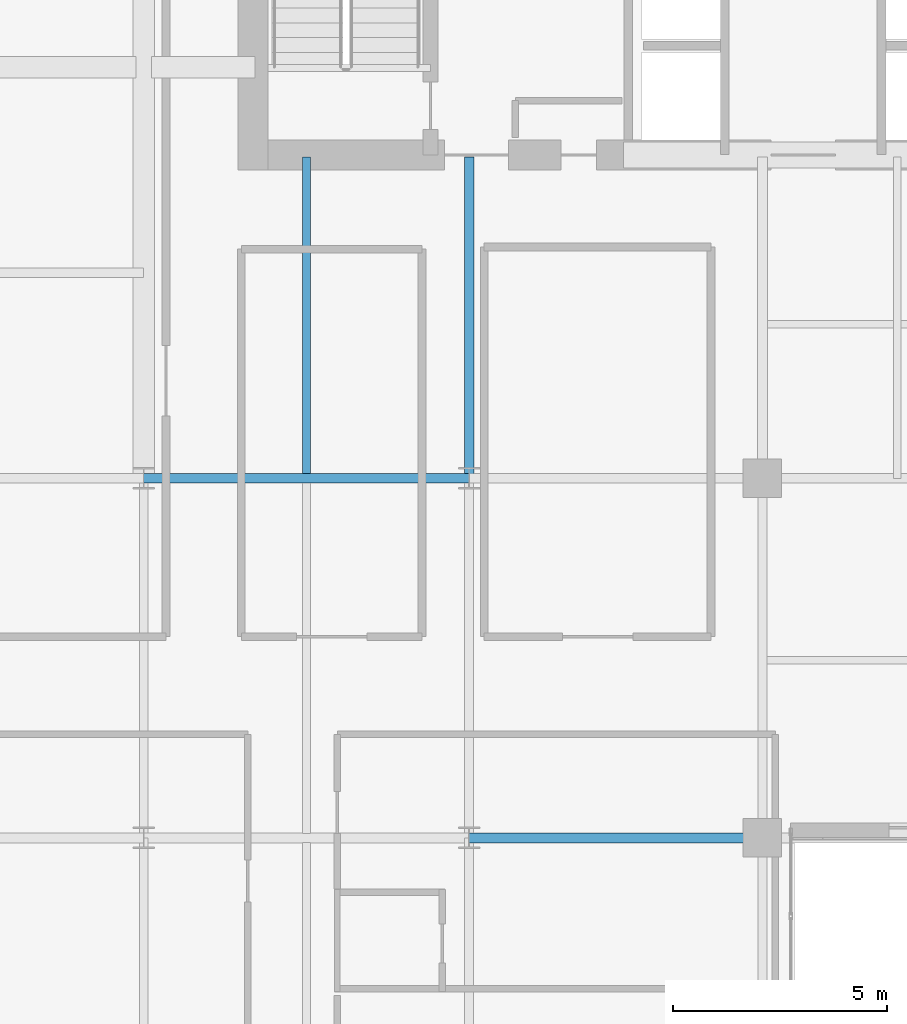
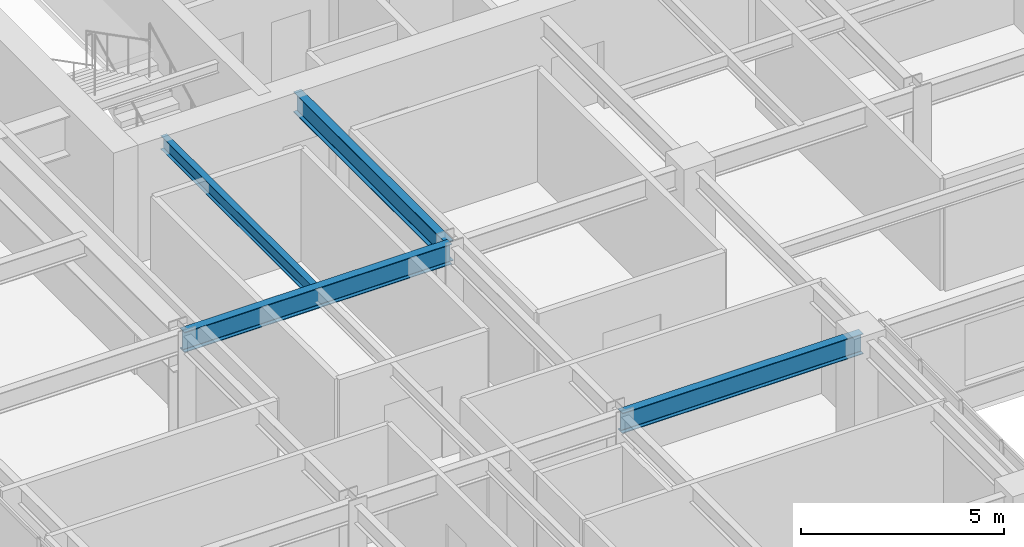
# One storey, part 11 of 37: 4 beams.
"""IFC4 building model written with IfcOpenShell, lengths in metres."""

from ifc_helpers import new_model, si_unit, direction, frame, origin, origin_2d, place, context, subcontext, project, spatial, i_section, extrude, source, transform, mapped, material, material_profile, profile_set, type_object, type_shapes, element, save


model = new_model("IFC4")

# Units and contexts
model_context = context("Model", 3, precision=1e-05, world=origin(), true_north=direction((0.0, 1.0)))
body_context = subcontext(model_context, "Body", "Model", "MODEL_VIEW")
ifc_project = project(units=[si_unit("LENGTHUNIT", "METRE"), si_unit("AREAUNIT", "SQUARE_METRE"), si_unit("VOLUMEUNIT", "CUBIC_METRE"), si_unit("PLANEANGLEUNIT", "RADIAN"), si_unit("MASSUNIT", "GRAM", prefix="KILO")], contexts=[model_context])

# Site, building, storey
site_placement = place(None, origin())
site = spatial("IfcSite", under=ifc_project, at=site_placement, CompositionType="ELEMENT")
building_placement = place(site_placement, origin())
building = spatial("IfcBuilding", under=site, at=building_placement, Name="Tolvann Quenvar Hotel", CompositionType="ELEMENT")
storey_placement = place(building_placement, frame((0.0, 0.0, 104.449951171875)))
storey = spatial("IfcBuildingStorey", under=building, at=storey_placement, Name="L26", CompositionType="ELEMENT", Elevation=104.449951171875)

# Beams
ifc_material = material(Name="Steel Grade 350", Category="steel")
ifc_material_profile_1 = material_profile(ifc_material, i_section(OverallWidth=0.22900390625, OverallDepth=0.612060546875, WebThickness=0.011962890625, FlangeThickness=0.01953125, FilletRadius=0.013916015625, at=origin_2d()), Name="610UB125")
ifc_profile_set_1 = profile_set([ifc_material_profile_1], Name="Steel Grade 350")
beam_type_1 = type_object("IfcBeamType", Name="BM_GIRD_610UB125", PredefinedType="BEAM", material=ifc_profile_set_1)
shared_shape_1 = source(origin(), body_context, "Body", "SweptSolid", [
    extrude(i_section(OverallWidth=0.22900390625, OverallDepth=0.612060546875, WebThickness=0.011962890625, FlangeThickness=0.01953125, FilletRadius=0.013916015625, at=origin_2d()), origin(), (0.0, 0.0, 1.0), 7.599853515625),
])
beam_1_placement = place(storey_placement, frame((7.60009765625, 24.39990234375, 3.06396484375), z_axis=(1.0, 0.0, 0.0), x_axis=(0.0, 1.0, 0.0)))
element("IfcBeam", 1, at=beam_1_placement, inside=storey, type_object=beam_type_1, Name="BM-L26-EW-5-C5-D5", PredefinedType="BEAM", context=body_context, shape_type="MappedRepresentation", body=[
    mapped(shared_shape_1, transform((0.0, 0.0, 0.0), x_axis=(1.0, 0.0, 0.0), y_axis=(0.0, 1.0, 0.0), z_axis=(0.0, 0.0, 1.0), scale=1.0)),
])
shared_shape_2 = source(origin(), body_context, "Body", "SweptSolid", [
    extrude(i_section(OverallWidth=0.22900390625, OverallDepth=0.612060546875, WebThickness=0.011962890625, FlangeThickness=0.01953125, FilletRadius=0.013916015625, at=origin_2d()), origin(), (0.0, 0.0, 1.0), 6.85009765625),
])
beam_2_placement = place(storey_placement, frame((15.199951171875, 16.0, 3.06396484375), z_axis=(1.0, 0.0, 0.0), x_axis=(0.0, 1.0, 0.0)))
element("IfcBeam", 2, at=beam_2_placement, inside=storey, type_object=beam_type_1, Name="BM-L26-EW-4-D4-E4", PredefinedType="BEAM", context=body_context, shape_type="MappedRepresentation", body=[
    mapped(shared_shape_2, transform((0.0, 0.0, 0.0), x_axis=(1.0, 0.0, 0.0), y_axis=(0.0, 1.0, 0.0), z_axis=(0.0, 0.0, 1.0), scale=1.0)),
])
shared_shape_3 = source(origin(), body_context, "Body", "SweptSolid", [
    extrude(i_section(OverallWidth=0.22900390625, OverallDepth=0.612060546875, WebThickness=0.011962890625, FlangeThickness=0.01953125, FilletRadius=0.013916015625, at=origin_2d()), origin(), (0.0, 0.0, 1.0), 7.5),
])
type_shapes(beam_type_1, [shared_shape_1, shared_shape_2, shared_shape_3])
beam_3_placement = place(storey_placement, frame((15.199951171875, 24.39990234375, 3.06396484375), z_axis=(0.0, 1.0, 0.0), x_axis=(-1.0, 0.0, 0.0)))
element("IfcBeam", 3, at=beam_3_placement, inside=storey, type_object=beam_type_1, Name="BM-L26-CORE-D5", PredefinedType="BEAM", context=body_context, shape_type="MappedRepresentation", body=[
    mapped(shared_shape_3, transform((0.0, 0.0, 0.0), x_axis=(1.0, 0.0, 0.0), y_axis=(0.0, 1.0, 0.0), z_axis=(0.0, 0.0, 1.0), scale=1.0)),
])
ifc_material_profile_2 = material_profile(ifc_material, i_section(OverallWidth=0.177978515625, OverallDepth=0.406005859375, WebThickness=0.0078125, FlangeThickness=0.0126953125, FilletRadius=0.011474609375, at=origin_2d()), Name="410UB60")
ifc_profile_set_2 = profile_set([ifc_material_profile_2], Name="Steel Grade 350")
beam_type_2 = type_object("IfcBeamType", Name="BM_JOIST_410UB60", PredefinedType="JOIST", material=ifc_profile_set_2)
shared_shape_4 = source(origin(), body_context, "Body", "SweptSolid", [
    extrude(i_section(OverallWidth=0.177978515625, OverallDepth=0.406005859375, WebThickness=0.0078125, FlangeThickness=0.0126953125, FilletRadius=0.011474609375, at=origin_2d()), origin(), (0.0, 0.0, 1.0), 7.391357421875),
])
type_shapes(beam_type_2, [shared_shape_4])
beam_4_placement = place(storey_placement, frame((11.39990234375, 24.508544921875, 3.1669921875), z_axis=(0.0, 1.0, 0.0), x_axis=(-1.0, 0.0, 0.0)))
element("IfcBeam", 4, at=beam_4_placement, inside=storey, type_object=beam_type_2, Name="BJ-L26-114-244", PredefinedType="JOIST", context=body_context, shape_type="MappedRepresentation", body=[
    mapped(shared_shape_4, transform((0.0, 0.0, 0.0), x_axis=(1.0, 0.0, 0.0), y_axis=(0.0, 1.0, 0.0), z_axis=(0.0, 0.0, 1.0), scale=1.0)),
])

save(model, "model.ifc")
